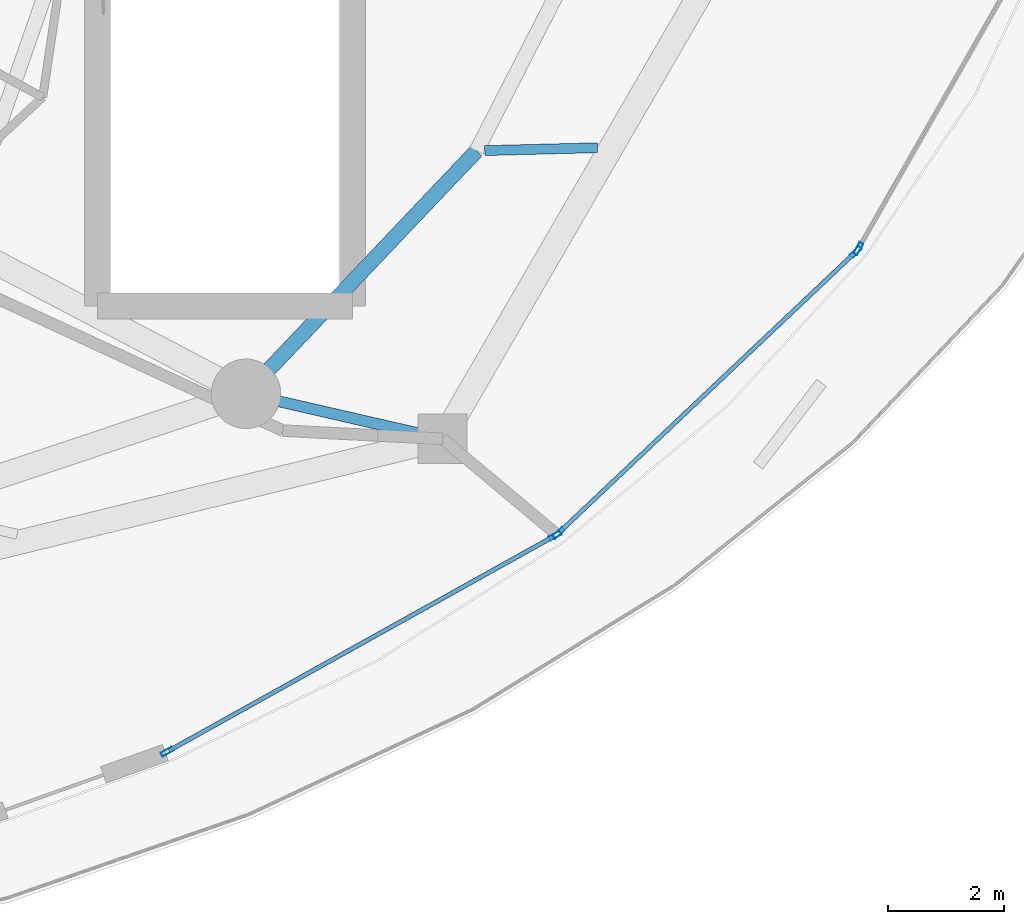
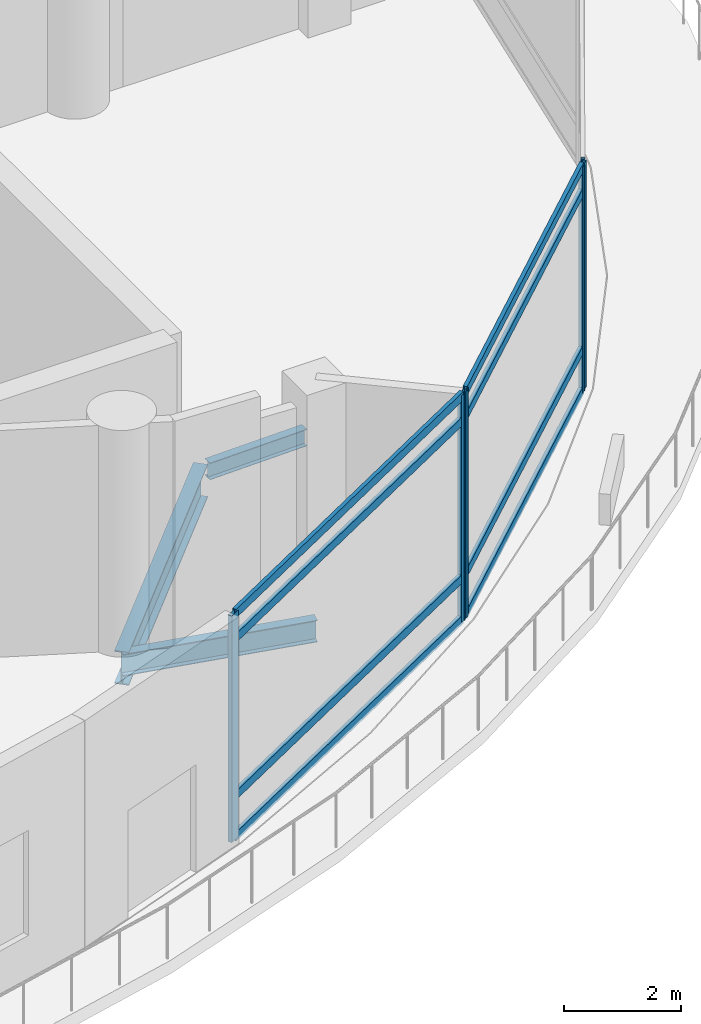
# One storey, part 13 of 34: 13 members, 3 beams, 3 elements without a shape of their own.
"""IFC4 building model written with IfcOpenShell, lengths in metres."""

import ifcopenshell
import ifcopenshell.guid

model = None  # the IFC model being written
_history = None  # IfcOwnerHistory: only IFC2X3 demands one
_inside = {}  # id of a spatial element -> (the spatial element, [elements in it])
_under = {}  # id of a project, library or spatial element -> (it, [spatial elements below it])
_declared = {}  # id of a project -> (the project, [libraries it declares])
_typed = {}  # id of a type object -> (the type object, [elements of that type])
_made_of = {}  # id of a material, layer set ... -> (it, [elements and type objects made of it])


def new_model(schema):
    """Start an empty IFC model of exactly this schema.

    Asked for "IFC4X3", IfcOpenShell would pick the latest addendum, in which some entities
    have other attributes; the version numbers below select the first issue.
    IFC2X3 requires an IfcOwnerHistory on every rooted entity: one is made here for all.
    """
    global model, _history
    if schema == "IFC4X3":
        model = ifcopenshell.file(schema_version=(4, 3, 0, 0))
    else:
        model = ifcopenshell.file(schema=schema)
    _inside.clear()
    _under.clear()
    _declared.clear()
    _typed.clear()
    _made_of.clear()
    _history = None
    if model.schema == "IFC2X3":
        org = make("IfcOrganization", Name="unknown")
        user = make(
            "IfcPersonAndOrganization",
            ThePerson=make("IfcPerson", FamilyName="unknown"),
            TheOrganization=org,
        )
        app = make(
            "IfcApplication",
            ApplicationDeveloper=org,
            Version="unknown",
            ApplicationFullName="unknown",
            ApplicationIdentifier="unknown",
        )
        _history = make(
            "IfcOwnerHistory",
            OwningUser=user,
            OwningApplication=app,
            ChangeAction="ADDED",
            CreationDate=0,
        )
    return model


def make(cls, **values):
    """One entity of the class cls with the attributes given. An attribute that is None is left unset."""
    return model.create_entity(
        cls, **{name: value for name, value in values.items() if value is not None}
    )


def rooted(cls, **values):
    """An entity with a GlobalId (a new one), such as an element, a storey or a relation."""
    return make(cls, GlobalId=ifcopenshell.guid.new(), OwnerHistory=_history, **values)


def si_unit(unit_type, name, prefix=None):
    """IfcSIUnit, for example si_unit("LENGTHUNIT", "METRE", prefix="MILLI")."""
    return make("IfcSIUnit", UnitType=unit_type, Prefix=prefix, Name=name)


def assignment(units):
    """IfcUnitAssignment: the units of a project."""
    return None if units is None else make("IfcUnitAssignment", Units=units)


def point(xyz):
    """IfcCartesianPoint."""
    return None if xyz is None else make("IfcCartesianPoint", Coordinates=xyz)


def direction(xyz):
    """IfcDirection."""
    return None if xyz is None else make("IfcDirection", DirectionRatios=xyz)


def frame(location, z_axis=None, x_axis=None):
    """IfcAxis2Placement3D, a coordinate frame: its origin and axes. An axis left out is left unset."""
    return make(
        "IfcAxis2Placement3D",
        Location=point(location),
        Axis=direction(z_axis),
        RefDirection=direction(x_axis),
    )


def frame_2d(location, x_axis=None):
    """IfcAxis2Placement2D, a coordinate frame in the plane: its origin and x axis."""
    return make(
        "IfcAxis2Placement2D", Location=point(location), RefDirection=direction(x_axis)
    )


def origin():
    """The frame at (0, 0, 0) with its axes left unset."""
    return frame((0.0, 0.0, 0.0))


def origin_2d():
    """The frame at (0, 0) in the plane with its x axis left unset."""
    return frame_2d((0.0, 0.0))


def place(relative_to, where):
    """IfcLocalPlacement: puts the frame where relative to a parent placement (None: the world)."""
    return make(
        "IfcLocalPlacement", PlacementRelTo=relative_to, RelativePlacement=where
    )


def context(
    kind, dimensions, precision=None, world=None, true_north=None, identifier=None
):
    """IfcGeometricRepresentationContext, for example the 3D "Model" context."""
    return make(
        "IfcGeometricRepresentationContext",
        ContextIdentifier=identifier,
        ContextType=kind,
        CoordinateSpaceDimension=dimensions,
        Precision=precision,
        WorldCoordinateSystem=world,
        TrueNorth=true_north,
    )


def subcontext(parent, identifier, kind, view, scale=None):
    """IfcGeometricRepresentationSubContext, for example "Body" below "Model"."""
    return make(
        "IfcGeometricRepresentationSubContext",
        ContextIdentifier=identifier,
        ContextType=kind,
        ParentContext=parent,
        TargetScale=scale,
        TargetView=view,
    )


def project(units=None, contexts=None):
    """IfcProject with its units and contexts."""
    return rooted(
        "IfcProject",
        Name="project",
        RepresentationContexts=contexts,
        UnitsInContext=assignment(units),
    )


def spatial(cls, under=None, at=None, **own):
    """A site, building, storey or space (cls), placed at a placement, below another one or the project."""
    s = rooted(cls, ObjectPlacement=at, **own)
    if under is not None:
        _under.setdefault(under.id(), (under, []))[1].append(s)
    return s


def profile(cls, at=None, kind="AREA", **sizes):
    """A parametric profile (cls). Its sizes go by their IFC names, for example OverallWidth=200.0."""
    return make(cls, ProfileType=kind, Position=at, **sizes)


def hollow_rectangle(**sizes):
    """IfcRectangleHollowProfileDef."""
    return profile("IfcRectangleHollowProfileDef", **sizes)


def i_section(**sizes):
    """IfcIShapeProfileDef."""
    return profile("IfcIShapeProfileDef", **sizes)


def extrude(swept, where, along, depth):
    """IfcExtrudedAreaSolid: the profile swept, set in the frame where, extruded along a direction by depth."""
    return make(
        "IfcExtrudedAreaSolid",
        SweptArea=swept,
        Position=where,
        ExtrudedDirection=direction(along),
        Depth=depth,
    )


def shape(context_of_items, identifier, shape_type, items):
    """IfcShapeRepresentation: the items that make up one representation, for example the "Body"."""
    return make(
        "IfcShapeRepresentation",
        ContextOfItems=context_of_items,
        RepresentationIdentifier=identifier,
        RepresentationType=shape_type,
        Items=items,
    )


def material(Name=None, Category=None):
    """IfcMaterial."""
    return make("IfcMaterial", Name=Name, Category=Category)


def layer(
    of_material, thickness, ventilated=None, Name=None, Category=None, Priority=None
):
    """IfcMaterialLayer: one layer of a wall or slab, of a material (None: an air gap)."""
    return make(
        "IfcMaterialLayer",
        Material=of_material,
        LayerThickness=thickness,
        IsVentilated=ventilated,
        Name=Name,
        Category=Category,
        Priority=Priority,
    )


def layer_set(layers, Name=None):
    """IfcMaterialLayerSet."""
    return make("IfcMaterialLayerSet", MaterialLayers=layers, LayerSetName=Name)


def material_profile(
    of_material, cross_section, Name=None, Category=None, Priority=None
):
    """IfcMaterialProfile: a cross section and its material."""
    return make(
        "IfcMaterialProfile",
        Name=Name,
        Material=of_material,
        Profile=cross_section,
        Priority=Priority,
        Category=Category,
    )


def profile_set(profiles, Name=None, composite=None):
    """IfcMaterialProfileSet."""
    return make(
        "IfcMaterialProfileSet",
        Name=Name,
        MaterialProfiles=profiles,
        CompositeProfile=composite,
    )


def made_of(thing, what):
    """Note that an element or type object is made of a material, layer set ...; save() writes the relation."""
    if what is not None:
        _made_of.setdefault(what.id(), (what, []))[1].append(thing)
    return thing


def type_object(cls, material=None, **own):
    """A type object (cls), such as IfcWallType, which elements share."""
    return made_of(rooted(cls, **own), material)


def element(
    cls,
    number,
    at=None,
    inside=None,
    cuts=None,
    type_object=None,
    material=None,
    context=None,
    identifier="Body",
    shape_type=None,
    held_by="IfcProductDefinitionShape",
    body=None,
    shapes=None,
    **own,
):
    """One element of the class cls, such as IfcWall. Its Tag is "e" and its number.

    at: its placement. inside: the storey or other place that contains it. cuts: it is an
    opening in that element (IfcRelVoidsElement). A single representation is given by context,
    identifier, shape_type and body (its items); several are given by shapes. held_by: the class
    of the entity that holds the representations. save() writes the other relations.
    """
    e = rooted(cls, Tag="e%d" % number, ObjectPlacement=at, **own)
    if body is not None:
        shapes = [shape(context, identifier, shape_type, body)]
    if shapes is not None:
        e.Representation = make(held_by, Representations=shapes)
    if inside is not None:
        _inside.setdefault(inside.id(), (inside, []))[1].append(e)
    if cuts is not None:
        rooted(
            "IfcRelVoidsElement", RelatingBuildingElement=cuts, RelatedOpeningElement=e
        )
    if type_object is not None:
        _typed.setdefault(type_object.id(), (type_object, []))[1].append(e)
    return made_of(e, material)


def aggregate(whole, parts):
    """IfcRelAggregates: a whole, such as a stair, and the parts it consists of."""
    return rooted("IfcRelAggregates", RelatingObject=whole, RelatedObjects=parts)


def save(model, path):
    """Write the relations noted so far, then the file.

    IfcRelAggregates (storeys below a building ...), IfcRelContainedInSpatialStructure (elements
    in a storey), IfcRelDefinesByType, IfcRelAssociatesMaterial and IfcRelDeclares: one each for
    every whole, place, type object, material and project.
    """
    for whole, parts in _under.values():
        aggregate(whole, parts)
    for where, things in _inside.values():
        rooted(
            "IfcRelContainedInSpatialStructure",
            RelatedElements=things,
            RelatingStructure=where,
        )
    for kind, things in _typed.values():
        rooted("IfcRelDefinesByType", RelatedObjects=things, RelatingType=kind)
    for what, things in _made_of.values():
        rooted("IfcRelAssociatesMaterial", RelatedObjects=things, RelatingMaterial=what)
    for by, libraries in _declared.values():
        rooted("IfcRelDeclares", RelatingContext=by, RelatedDefinitions=libraries)
    model.write(path)


model = new_model("IFC4")

# Units and contexts
model_context = context("Model", 3, precision=1e-05, world=origin(), true_north=direction((0.0, 1.0)))
body_context = subcontext(model_context, "Body", "Model", "MODEL_VIEW")
ifc_project = project(units=[si_unit("LENGTHUNIT", "METRE"), si_unit("AREAUNIT", "SQUARE_METRE"), si_unit("VOLUMEUNIT", "CUBIC_METRE"), si_unit("PLANEANGLEUNIT", "RADIAN"), si_unit("MASSUNIT", "GRAM", prefix="KILO")], contexts=[model_context])

# Site, building, storey
site_placement = place(None, origin())
site = spatial("IfcSite", under=ifc_project, at=site_placement, CompositionType="ELEMENT")
building_placement = place(site_placement, origin())
building = spatial("IfcBuilding", under=site, at=building_placement, Name="Nuhasar Tower", CompositionType="ELEMENT")
storey_placement = place(building_placement, frame((0.0, 0.0, 16.0)))
storey = spatial("IfcBuildingStorey", under=building, at=storey_placement, Name="L03", CompositionType="ELEMENT", Elevation=16.0)

# Beams
ifc_material_1 = material(Name="Steel S355", Category="steel")
ifc_material_profile_1 = material_profile(ifc_material_1, i_section(OverallWidth=0.1708984375, OverallDepth=0.35205078125, WebThickness=0.0068359375, FlangeThickness=0.009765625, at=origin_2d()), Name="W14X30")
ifc_profile_set_1 = profile_set([ifc_material_profile_1], Name="Steel S355")
beam_type_1 = type_object("IfcBeamType", Name="BM-JST-W14X30", PredefinedType="JOIST", material=ifc_profile_set_1)
beam_1_placement = place(storey_placement, frame((60.8349609375, 16.678955078125, -0.47607421875), z_axis=(0.999669118489, 0.025722626998, 0.0), x_axis=(-0.025722626998, 0.999669118489, 0.0)))
element("IfcBeam", 1, at=beam_1_placement, inside=storey, type_object=beam_type_1, Name="L03 Podium Secondary Joist 05", PredefinedType="JOIST", context=body_context, shape_type="SweptSolid", body=[
    extrude(i_section(OverallWidth=0.1708984375, OverallDepth=0.35205078125, WebThickness=0.0068359375, FlangeThickness=0.009765625, at=origin_2d()), origin(), (0.0, 0.0, 1.0), 1.94580078125),
])
ifc_material_profile_2 = material_profile(ifc_material_1, i_section(OverallWidth=0.18994140625, OverallDepth=0.45703125, WebThickness=0.009033203125, FlangeThickness=0.014404296875, at=origin_2d()), Name="W18X50")
ifc_profile_set_2 = profile_set([ifc_material_profile_2], Name="Steel S355")
beam_type_2 = type_object("IfcBeamType", Name="BM-RAD-W18X50", PredefinedType="BEAM", material=ifc_profile_set_2)
beam_2_placement = place(storey_placement, frame((56.712890625, 12.48095703125, -0.529052734375), z_axis=(0.974715141502, -0.223451097394, 0.0), x_axis=(0.223451097394, 0.974715141502, 0.0)))
element("IfcBeam", 2, at=beam_2_placement, inside=storey, type_object=beam_type_2, Name="L03 Podium Radial Girder 03", PredefinedType="BEAM", context=body_context, shape_type="SweptSolid", body=[
    extrude(i_section(OverallWidth=0.18994140625, OverallDepth=0.45703125, WebThickness=0.009033203125, FlangeThickness=0.014404296875, at=origin_2d()), origin(), (0.0, 0.0, 1.0), 3.482177734375),
])
ifc_material_profile_3 = material_profile(ifc_material_1, i_section(OverallWidth=0.256103515625, OverallDepth=0.693115234375, WebThickness=0.014404296875, FlangeThickness=0.023681640625, at=origin_2d()), Name="W27X114")
ifc_profile_set_3 = profile_set([ifc_material_profile_3], Name="Steel S355")
beam_type_3 = type_object("IfcBeamType", Name="BM-RING-W27X114", PredefinedType="SPANDREL", material=ifc_profile_set_3)
beam_3_placement = place(storey_placement, frame((56.712890625, 12.48095703125, -0.64697265625), z_axis=(0.688459812429, 0.725274490569, 0.0), x_axis=(-0.725274490569, 0.688459812429, 0.0)))
element("IfcBeam", 3, at=beam_3_placement, inside=storey, type_object=beam_type_3, Name="L03 Mega-Column Perimeter Ring Spandrel 03-1", PredefinedType="SPANDREL", context=body_context, shape_type="SweptSolid", body=[
    extrude(i_section(OverallWidth=0.256103515625, OverallDepth=0.693115234375, WebThickness=0.014404296875, FlangeThickness=0.023681640625, at=origin_2d()), origin(), (0.0, 0.0, 1.0), 5.78271484375),
])

# Curtain wall, members
ifc_material_2 = material(Name="Aluminium 6063-T6", Category="aluminium")
ifc_layer = layer(ifc_material_2, 0.219970703125)
ifc_layer_set = layer_set([ifc_layer], Name="Aluminium 6063-T6")
curtain_wall_type = type_object("IfcCurtainWallType", Name="CW-PODIUM", PredefinedType="NOTDEFINED", material=ifc_layer_set)
curtain_wall_1_placement = place(storey_placement, origin())
curtain_wall_1 = element("IfcCurtainWall", 4, at=curtain_wall_1_placement, inside=storey, type_object=curtain_wall_type, Name="L03 Podium Curtain Wall Bay 21", PredefinedType="NOTDEFINED")
ifc_material_profile_4 = material_profile(ifc_material_2, hollow_rectangle(XDim=0.074951171875, YDim=0.219970703125, WallThickness=0.0048828125, at=origin_2d()), Name="CWM-1")
ifc_profile_set_4 = profile_set([ifc_material_profile_4], Name="Aluminium 6063-T6")
member_type_1 = type_object("IfcMemberType", Name="CW-MUL-S1", PredefinedType="MULLION", material=ifc_profile_set_4)
member_1_placement = place(storey_placement, frame((55.352783203125, 6.30224609375, 0.0), z_axis=(0.0, 0.0, 1.0), x_axis=(-0.486575351992, 0.873638613406, 0.0)))
member_1 = element("IfcMember", 5, at=member_1_placement, type_object=member_type_1, Name="CW-P1 mullion 1", PredefinedType="MULLION", context=body_context, shape_type="SweptSolid", body=[
    extrude(hollow_rectangle(XDim=0.074951171875, YDim=0.219970703125, WallThickness=0.0048828125, at=origin_2d()), origin(), (0.0, 0.0, 1.0), 4.739990234375),
])
member_2_placement = place(storey_placement, frame((62.047119140625, 10.03076171875, 0.0), z_axis=(0.0, 0.0, 1.0), x_axis=(-0.486575351992, 0.873638613406, 0.0)))
member_2 = element("IfcMember", 6, at=member_2_placement, type_object=member_type_1, Name="CW-P1 mullion 2", PredefinedType="MULLION", context=body_context, shape_type="SweptSolid", body=[
    extrude(hollow_rectangle(XDim=0.074951171875, YDim=0.219970703125, WallThickness=0.0048828125, at=origin_2d()), origin(), (0.0, 0.0, 1.0), 4.739990234375),
])

curtain_wall_2_placement = place(storey_placement, origin())
curtain_wall_2 = element("IfcCurtainWall", 7, at=curtain_wall_2_placement, inside=storey, type_object=curtain_wall_type, Name="L03 Podium Curtain Wall Bay 22", PredefinedType="NOTDEFINED")
member_3_placement = place(storey_placement, frame((62.107177734375, 10.07470703125, 0.0), z_axis=(0.0, 0.0, 1.0), x_axis=(-0.687153902439, 0.726511881777, 0.0)))
member_3 = element("IfcMember", 8, at=member_3_placement, type_object=member_type_1, Name="CW-P1 mullion 1", PredefinedType="MULLION", context=body_context, shape_type="SweptSolid", body=[
    extrude(hollow_rectangle(XDim=0.074951171875, YDim=0.219970703125, WallThickness=0.0048828125, at=origin_2d()), origin(), (0.0, 0.0, 1.0), 4.739990234375),
])
member_4_placement = place(storey_placement, frame((67.23974609375, 14.92919921875, 0.0), z_axis=(0.0, 0.0, 1.0), x_axis=(-0.687153902439, 0.726511881777, 0.0)))
member_4 = element("IfcMember", 9, at=member_4_placement, type_object=member_type_1, Name="CW-P1 mullion 2", PredefinedType="MULLION", context=body_context, shape_type="SweptSolid", body=[
    extrude(hollow_rectangle(XDim=0.074951171875, YDim=0.219970703125, WallThickness=0.0048828125, at=origin_2d()), origin(), (0.0, 0.0, 1.0), 4.739990234375),
])

# Curtain wall, member
curtain_wall_3_placement = place(storey_placement, origin())
curtain_wall_3 = element("IfcCurtainWall", 10, at=curtain_wall_3_placement, inside=storey, type_object=curtain_wall_type, Name="L03 Podium Curtain Wall Bay 23", PredefinedType="NOTDEFINED")
member_5_placement = place(storey_placement, frame((67.28564453125, 14.987548828125, 0.0), z_axis=(0.0, 0.0, 1.0), x_axis=(-0.86851426961, 0.495664164011, 0.0)))
member_5 = element("IfcMember", 11, at=member_5_placement, type_object=member_type_1, Name="CW-P1 mullion 1", PredefinedType="MULLION", context=body_context, shape_type="SweptSolid", body=[
    extrude(hollow_rectangle(XDim=0.074951171875, YDim=0.219970703125, WallThickness=0.0048828125, at=origin_2d()), origin(), (0.0, 0.0, 1.0), 4.739990234375),
])
aggregate(curtain_wall_3, [member_5])

# Member
ifc_material_profile_5 = material_profile(ifc_material_2, hollow_rectangle(XDim=0.074951171875, YDim=0.179931640625, WallThickness=0.00439453125, at=origin_2d()), Name="CWT-1")
ifc_profile_set_5 = profile_set([ifc_material_profile_5], Name="Aluminium 6063-T6")
member_type_2 = type_object("IfcMemberType", Name="CW-TRN-S1", PredefinedType="USERDEFINED", material=ifc_profile_set_5)
member_6_placement = place(storey_placement, frame((55.385498046875, 6.320556640625, 0.03759765625), z_axis=(0.873643793094, 0.486566051825, 0.0), x_axis=(-0.486566051825, 0.873643793094, 0.0)))
member_6 = element("IfcMember", 12, at=member_6_placement, type_object=member_type_2, Name="CW-P1 transom 1.1", ObjectType="TRANSOM", PredefinedType="USERDEFINED", context=body_context, shape_type="SweptSolid", body=[
    extrude(hollow_rectangle(XDim=0.074951171875, YDim=0.179931640625, WallThickness=0.00439453125, at=origin_2d()), origin(), (0.0, 0.0, 1.0), 7.587646484375),
])

member_7_placement = place(storey_placement, frame((55.385498046875, 6.320556640625, 0.89990234375), z_axis=(0.873643793094, 0.486566051825, 0.0), x_axis=(-0.486566051825, 0.873643793094, 0.0)))
member_7 = element("IfcMember", 13, at=member_7_placement, type_object=member_type_2, Name="CW-P1 transom 1.2", ObjectType="TRANSOM", PredefinedType="USERDEFINED", context=body_context, shape_type="SweptSolid", body=[
    extrude(hollow_rectangle(XDim=0.074951171875, YDim=0.179931640625, WallThickness=0.00439453125, at=origin_2d()), origin(), (0.0, 0.0, 1.0), 7.587646484375),
])

member_8_placement = place(storey_placement, frame((55.385498046875, 6.320556640625, 4.18994140625), z_axis=(0.873643793094, 0.486566051825, 0.0), x_axis=(-0.486566051825, 0.873643793094, 0.0)))
member_8 = element("IfcMember", 14, at=member_8_placement, type_object=member_type_2, Name="CW-P1 transom 1.3", ObjectType="TRANSOM", PredefinedType="USERDEFINED", context=body_context, shape_type="SweptSolid", body=[
    extrude(hollow_rectangle(XDim=0.074951171875, YDim=0.179931640625, WallThickness=0.00439453125, at=origin_2d()), origin(), (0.0, 0.0, 1.0), 7.587646484375),
])

member_9_placement = place(storey_placement, frame((55.385498046875, 6.320556640625, 4.702392578125), z_axis=(0.873643793094, 0.486566051825, 0.0), x_axis=(-0.486566051825, 0.873643793094, 0.0)))
member_9 = element("IfcMember", 15, at=member_9_placement, type_object=member_type_2, Name="CW-P1 transom 1.4", ObjectType="TRANSOM", PredefinedType="USERDEFINED", context=body_context, shape_type="SweptSolid", body=[
    extrude(hollow_rectangle(XDim=0.074951171875, YDim=0.179931640625, WallThickness=0.00439453125, at=origin_2d()), origin(), (0.0, 0.0, 1.0), 7.587646484375),
])

aggregate(curtain_wall_1, [member_1, member_2, member_6, member_7, member_8, member_9])

member_10_placement = place(storey_placement, frame((62.134521484375, 10.1005859375, 0.03759765625), z_axis=(0.726498578965, 0.687167966921, 0.0), x_axis=(-0.687167966921, 0.726498578965, 0.0)))
member_10 = element("IfcMember", 16, at=member_10_placement, type_object=member_type_2, Name="CW-P1 transom 1.1", ObjectType="TRANSOM", PredefinedType="USERDEFINED", context=body_context, shape_type="SweptSolid", body=[
    extrude(hollow_rectangle(XDim=0.074951171875, YDim=0.179931640625, WallThickness=0.00439453125, at=origin_2d()), origin(), (0.0, 0.0, 1.0), 6.989501953125),
])

member_11_placement = place(storey_placement, frame((62.134521484375, 10.1005859375, 0.89990234375), z_axis=(0.726498578965, 0.687167966921, 0.0), x_axis=(-0.687167966921, 0.726498578965, 0.0)))
member_11 = element("IfcMember", 17, at=member_11_placement, type_object=member_type_2, Name="CW-P1 transom 1.2", ObjectType="TRANSOM", PredefinedType="USERDEFINED", context=body_context, shape_type="SweptSolid", body=[
    extrude(hollow_rectangle(XDim=0.074951171875, YDim=0.179931640625, WallThickness=0.00439453125, at=origin_2d()), origin(), (0.0, 0.0, 1.0), 6.989501953125),
])

member_12_placement = place(storey_placement, frame((62.134521484375, 10.1005859375, 4.18994140625), z_axis=(0.726498578965, 0.687167966921, 0.0), x_axis=(-0.687167966921, 0.726498578965, 0.0)))
member_12 = element("IfcMember", 18, at=member_12_placement, type_object=member_type_2, Name="CW-P1 transom 1.3", ObjectType="TRANSOM", PredefinedType="USERDEFINED", context=body_context, shape_type="SweptSolid", body=[
    extrude(hollow_rectangle(XDim=0.074951171875, YDim=0.179931640625, WallThickness=0.00439453125, at=origin_2d()), origin(), (0.0, 0.0, 1.0), 6.989501953125),
])

member_13_placement = place(storey_placement, frame((62.134521484375, 10.1005859375, 4.702392578125), z_axis=(0.726498578965, 0.687167966921, 0.0), x_axis=(-0.687167966921, 0.726498578965, 0.0)))
member_13 = element("IfcMember", 19, at=member_13_placement, type_object=member_type_2, Name="CW-P1 transom 1.4", ObjectType="TRANSOM", PredefinedType="USERDEFINED", context=body_context, shape_type="SweptSolid", body=[
    extrude(hollow_rectangle(XDim=0.074951171875, YDim=0.179931640625, WallThickness=0.00439453125, at=origin_2d()), origin(), (0.0, 0.0, 1.0), 6.989501953125),
])

aggregate(curtain_wall_2, [member_3, member_4, member_10, member_11, member_12, member_13])

save(model, "model.ifc")
